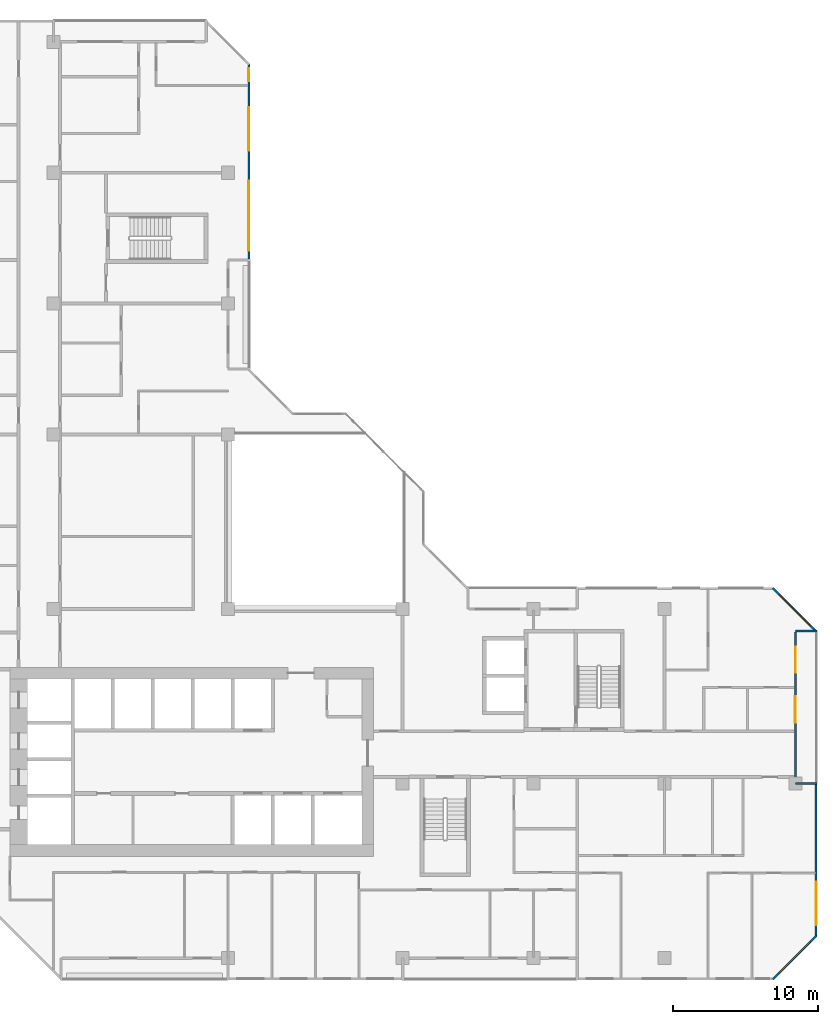
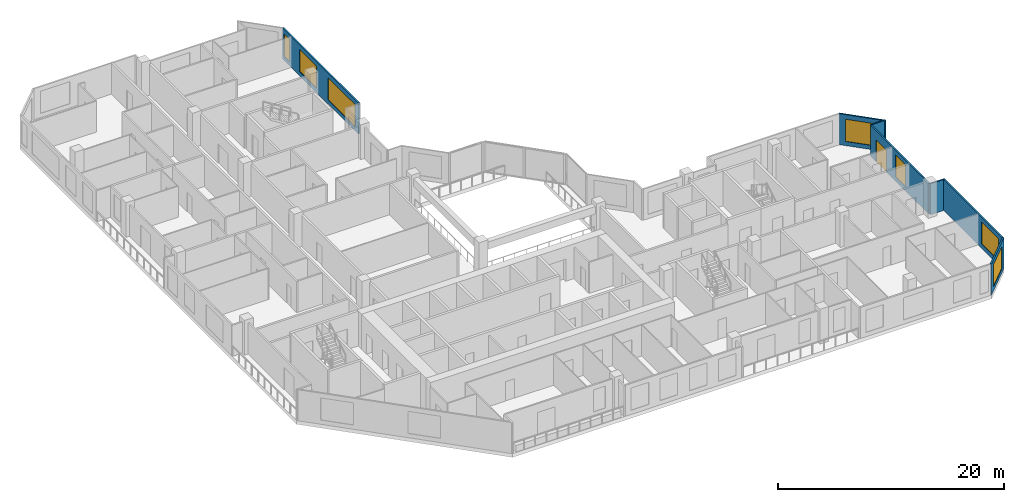
# One storey, part 11 of 14: 7 walls, 7 windows, 1 door, 8 openings.
"""IFC4 building model written with IfcOpenShell, lengths in metres."""

from ifc_helpers import new_model, si_unit, direction, frame, frame_2d, origin, place, context, subcontext, project, spatial, rectangle, extrude, material, layer, layer_set, type_object, element, fill, save


model = new_model("IFC4")

# Units and contexts
model_context = context("Model", 3, precision=1e-05, world=origin(), true_north=direction((0.0, 1.0)))
body_context = subcontext(model_context, "Body", "Model", "MODEL_VIEW")
ifc_project = project(units=[si_unit("LENGTHUNIT", "METRE"), si_unit("AREAUNIT", "SQUARE_METRE"), si_unit("VOLUMEUNIT", "CUBIC_METRE"), si_unit("PLANEANGLEUNIT", "RADIAN"), si_unit("MASSUNIT", "GRAM", prefix="KILO")], contexts=[model_context])

# Site, building, storey
site_placement = place(None, origin())
site = spatial("IfcSite", under=ifc_project, at=site_placement, CompositionType="ELEMENT")
building_placement = place(site_placement, origin())
building = spatial("IfcBuilding", under=site, at=building_placement, Name="Chenar Terraces", CompositionType="ELEMENT")
storey_placement = place(building_placement, frame((0.0, 0.0, 183.64990234375)))
storey = spatial("IfcBuildingStorey", under=building, at=storey_placement, Name="L42", CompositionType="ELEMENT", Elevation=183.64990234375)

# Wall, openings, windows
ifc_material_1 = material(Name="Aluminium framed glazing", Category="aluminium")
ifc_layer_1 = layer(ifc_material_1, 0.14990234375)
ifc_layer_set_1 = layer_set([ifc_layer_1], Name="Aluminium framed glazing")
wall_type_1 = type_object("IfcWallType", Name="Glazed flush facade wall 150", PredefinedType="SOLIDWALL", material=ifc_layer_set_1)
wall_1_placement = place(storey_placement, frame((25.425048828125, 48.074951171875, 0.0), z_axis=(0.0, 0.0, 1.0), x_axis=(0.0, 1.0, 0.0)))
wall_1 = element("IfcWall", 1, at=wall_1_placement, inside=storey, type_object=wall_type_1, Name="Glazed flush facade wall", PredefinedType="SOLIDWALL", context=body_context, shape_type="SweptSolid", body=[
    extrude(rectangle(XDim=13.425048828125, YDim=0.14990234375, at=frame_2d((6.71240234375, 0.0))), origin(), (0.0, 0.0, 1.0), 3.35009765625),
])
opening_1_placement = place(wall_1_placement, frame((0.5625, 0.0, 0.449951171875)))
opening_1 = element("IfcOpeningElement", 2, at=opening_1_placement, cuts=wall_1, Name="Opening W480x240", PredefinedType="OPENING", context=body_context, shape_type="SweptSolid", body=[
    extrude(rectangle(XDim=4.800048828125, YDim=2.39990234375, at=frame_2d((2.39990234375, 1.199951171875))), frame((0.0, 0.0849609375, 0.0), z_axis=(0.0, -1.0, 0.0), x_axis=(1.0, 0.0, 0.0)), (0.0, 0.0, 1.0), 0.169921875),
])
opening_2_placement = place(wall_1_placement, frame((7.425048828125, 0.0, 0.449951171875)))
opening_2 = element("IfcOpeningElement", 3, at=opening_2_placement, cuts=wall_1, Name="Opening W300x240", PredefinedType="OPENING", context=body_context, shape_type="SweptSolid", body=[
    extrude(rectangle(XDim=3.0, YDim=2.39990234375, at=frame_2d((1.5, 1.199951171875))), frame((0.0, 0.0849609375, 0.0), z_axis=(0.0, -1.0, 0.0), x_axis=(1.0, 0.0, 0.0)), (0.0, 0.0, 1.0), 0.169921875),
])
opening_3_placement = place(wall_1_placement, frame((12.22509765625, 0.0, 0.449951171875)))
opening_3 = element("IfcOpeningElement", 4, at=opening_3_placement, cuts=wall_1, Name="Opening W90x240", PredefinedType="OPENING", context=body_context, shape_type="SweptSolid", body=[
    extrude(rectangle(XDim=0.89990234375, YDim=2.39990234375, at=frame_2d((0.449951171875, 1.199951171875))), frame((0.0, 0.0849609375, 0.0), z_axis=(0.0, -1.0, 0.0), x_axis=(1.0, 0.0, 0.0)), (0.0, 0.0, 1.0), 0.169921875),
])
ifc_material_2 = material(Name="Low emissivity double glazing, aluminium frame", Category="aluminium")
window_type_1 = type_object("IfcWindowType", Name="Fixed light 3000 x 2400", PartitioningType="SINGLE_PANEL", PredefinedType="WINDOW", material=ifc_material_2)
window_1_placement = place(opening_2_placement, origin())
window_1 = element("IfcWindow", 5, at=window_1_placement, inside=storey, type_object=window_type_1, Name="Window", OverallHeight=2.39990234375, OverallWidth=3.0, PartitioningType="SINGLE_PANEL", PredefinedType="WINDOW", context=body_context, shape_type="SweptSolid", body=[
    extrude(rectangle(XDim=3.0, YDim=2.39990234375, at=frame_2d((1.5, 1.199951171875))), frame((0.0, 0.030029296875, 0.0), z_axis=(0.0, -1.0, 0.0), x_axis=(1.0, 0.0, 0.0)), (0.0, 0.0, 1.0), 0.06005859375),
])
fill(opening_2, window_1)
ifc_material_3 = material(Name="Low emissivity double glazing, aluminium frame", Category="aluminium")
window_type_2 = type_object("IfcWindowType", Name="Fixed light 4800 x 2400", PartitioningType="SINGLE_PANEL", PredefinedType="WINDOW", material=ifc_material_3)
window_2_placement = place(opening_1_placement, origin())
window_2 = element("IfcWindow", 6, at=window_2_placement, inside=storey, type_object=window_type_2, Name="Window", OverallHeight=2.39990234375, OverallWidth=4.800048828125, PartitioningType="SINGLE_PANEL", PredefinedType="WINDOW", context=body_context, shape_type="SweptSolid", body=[
    extrude(rectangle(XDim=4.800048828125, YDim=2.39990234375, at=frame_2d((2.39990234375, 1.199951171875))), frame((0.0, 0.030029296875, 0.0), z_axis=(0.0, -1.0, 0.0), x_axis=(1.0, 0.0, 0.0)), (0.0, 0.0, 1.0), 0.06005859375),
])
fill(opening_1, window_2)
ifc_material_4 = material(Name="Low emissivity double glazing, aluminium frame", Category="aluminium")
window_type_3 = type_object("IfcWindowType", Name="Fixed light 900 x 2400", PartitioningType="SINGLE_PANEL", PredefinedType="WINDOW", material=ifc_material_4)
window_3_placement = place(opening_3_placement, origin())
window_3 = element("IfcWindow", 7, at=window_3_placement, inside=storey, type_object=window_type_3, Name="Window", OverallHeight=2.39990234375, OverallWidth=0.89990234375, PartitioningType="SINGLE_PANEL", PredefinedType="WINDOW", context=body_context, shape_type="SweptSolid", body=[
    extrude(rectangle(XDim=0.89990234375, YDim=2.39990234375, at=frame_2d((0.449951171875, 1.199951171875))), frame((0.0, 0.030029296875, 0.0), z_axis=(0.0, -1.0, 0.0), x_axis=(1.0, 0.0, 0.0)), (0.0, 0.0, 1.0), 0.06005859375),
])
fill(opening_3, window_3)

# Wall, opening, window
wall_2_placement = place(storey_placement, frame((64.425048828125, 1.5, 0.0), z_axis=(0.0, 0.0, 1.0), x_axis=(0.0, 1.0, 0.0)))
wall_2 = element("IfcWall", 8, at=wall_2_placement, inside=storey, type_object=wall_type_1, Name="Glazed flush facade wall", PredefinedType="SOLIDWALL", context=body_context, shape_type="SweptSolid", body=[
    extrude(rectangle(XDim=10.425048828125, YDim=0.14990234375, at=frame_2d((5.21240234375, 0.0))), origin(), (0.0, 0.0, 1.0), 3.35009765625),
])
opening_4_placement = place(wall_2_placement, frame((0.75, 0.0, 0.449951171875)))
opening_4 = element("IfcOpeningElement", 9, at=opening_4_placement, cuts=wall_2, Name="Opening W300x240", PredefinedType="OPENING", context=body_context, shape_type="SweptSolid", body=[
    extrude(rectangle(XDim=3.0, YDim=2.39990234375, at=frame_2d((1.5, 1.199951171875))), frame((0.0, 0.0849609375, 0.0), z_axis=(0.0, -1.0, 0.0), x_axis=(1.0, 0.0, 0.0)), (0.0, 0.0, 1.0), 0.169921875),
])
window_4_placement = place(opening_4_placement, origin())
window_4 = element("IfcWindow", 10, at=window_4_placement, inside=storey, type_object=window_type_1, Name="Window", OverallHeight=2.39990234375, OverallWidth=3.0, PartitioningType="SINGLE_PANEL", PredefinedType="WINDOW", context=body_context, shape_type="SweptSolid", body=[
    extrude(rectangle(XDim=3.0, YDim=2.39990234375, at=frame_2d((1.5, 1.199951171875))), frame((0.0, 0.030029296875, 0.0), z_axis=(0.0, -1.0, 0.0), x_axis=(1.0, 0.0, 0.0)), (0.0, 0.0, 1.0), 0.06005859375),
])
fill(opening_4, window_4)

# Wall, openings, window, door
ifc_material_5 = material(Name="Aluminium framed glazing", Category="aluminium")
ifc_layer_2 = layer(ifc_material_5, 0.14990234375)
ifc_layer_set_2 = layer_set([ifc_layer_2], Name="Aluminium framed glazing")
wall_type_2 = type_object("IfcWallType", Name="Glazed loggia back wall 150", PredefinedType="SOLIDWALL", material=ifc_layer_set_2)
wall_3_placement = place(storey_placement, frame((63.0, 12.074951171875, 0.0), z_axis=(0.0, 0.0, 1.0), x_axis=(0.0, 1.0, 0.0)))
wall_3 = element("IfcWall", 11, at=wall_3_placement, inside=storey, type_object=wall_type_2, Name="Glazed loggia back wall", PredefinedType="SOLIDWALL", context=body_context, shape_type="SweptSolid", body=[
    extrude(rectangle(XDim=10.35009765625, YDim=0.14990234375, at=frame_2d((5.175048828125, 0.0))), origin(), (0.0, 0.0, 1.0), 3.35009765625),
])
opening_5_placement = place(wall_3_placement, frame((4.125, 0.0, 0.449951171875)))
opening_5 = element("IfcOpeningElement", 12, at=opening_5_placement, cuts=wall_3, Name="Opening W180x240", PredefinedType="OPENING", context=body_context, shape_type="SweptSolid", body=[
    extrude(rectangle(XDim=1.800048828125, YDim=2.39990234375, at=frame_2d((0.89990234375, 1.199951171875))), frame((0.0, 0.0849609375, 0.0), z_axis=(0.0, -1.0, 0.0), x_axis=(1.0, 0.0, 0.0)), (0.0, 0.0, 1.0), 0.169921875),
])
opening_6_placement = place(wall_3_placement, frame((7.53759765625, 0.0, 0.0)))
opening_6 = element("IfcOpeningElement", 13, at=opening_6_placement, cuts=wall_3, Name="Opening DL42-G7", PredefinedType="OPENING", context=body_context, shape_type="SweptSolid", body=[
    extrude(rectangle(XDim=1.800048828125, YDim=2.39990234375, at=frame_2d((0.89990234375, 1.199951171875))), frame((0.0, 0.0849609375, 0.0), z_axis=(0.0, -1.0, 0.0), x_axis=(1.0, 0.0, 0.0)), (0.0, 0.0, 1.0), 0.169921875),
])
ifc_material_6 = material(Name="Low emissivity double glazing, aluminium frame", Category="aluminium")
window_type_4 = type_object("IfcWindowType", Name="Fixed light 1800 x 2400", PartitioningType="SINGLE_PANEL", PredefinedType="WINDOW", material=ifc_material_6)
window_5_placement = place(opening_5_placement, origin())
window_5 = element("IfcWindow", 14, at=window_5_placement, inside=storey, type_object=window_type_4, Name="Window", OverallHeight=2.39990234375, OverallWidth=1.800048828125, PartitioningType="SINGLE_PANEL", PredefinedType="WINDOW", context=body_context, shape_type="SweptSolid", body=[
    extrude(rectangle(XDim=1.800048828125, YDim=2.39990234375, at=frame_2d((0.89990234375, 1.199951171875))), frame((0.0, 0.030029296875, 0.0), z_axis=(0.0, -1.0, 0.0), x_axis=(1.0, 0.0, 0.0)), (0.0, 0.0, 1.0), 0.06005859375),
])
fill(opening_5, window_5)
ifc_material_7 = material(Name="Low emissivity double glazing, aluminium frame", Category="aluminium")
door_type = type_object("IfcDoorType", Name="Loggia glazed double door 1800 x 2400", OperationType="DOUBLE_DOOR_SINGLE_SWING", PredefinedType="DOOR", material=ifc_material_7)
door_placement = place(opening_6_placement, frame((1.800048828125, 0.0, 0.0), z_axis=(0.0, 0.0, 1.0), x_axis=(-1.0, 0.0, 0.0)))
door = element("IfcDoor", 15, at=door_placement, inside=storey, type_object=door_type, Name="Loggia glazed door", OperationType="DOUBLE_DOOR_SINGLE_SWING", OverallHeight=2.39990234375, OverallWidth=1.800048828125, PredefinedType="DOOR", context=body_context, shape_type="SweptSolid", body=[
    extrude(rectangle(XDim=1.800048828125, YDim=2.39990234375, at=frame_2d((0.89990234375, 1.199951171875))), frame((0.0, 0.02490234375, 0.0), z_axis=(0.0, -1.0, 0.0), x_axis=(1.0, 0.0, 0.0)), (0.0, 0.0, 1.0), 0.050048828125),
])
fill(opening_6, door)

# Walls
ifc_material_8 = material(Name="Terracotta cladding on insulated backing", Category="masonry")
ifc_layer_3 = layer(ifc_material_8, 0.14990234375)
ifc_layer_set_3 = layer_set([ifc_layer_3], Name="Terracotta cladding on insulated backing")
wall_type_3 = type_object("IfcWallType", Name="Loggia return wall 150", PredefinedType="SOLIDWALL", material=ifc_layer_set_3)
for number, where, z_axis, x_axis, name in (
    (16, (64.5, 12.0, 0.0), (0.0, 0.0, 1.0), (-1.0, 0.0, 0.0), "Loggia return wall"),
    (17, (64.5, 22.5, 0.0), (0.0, 0.0, 1.0), (-1.0, 0.0, 0.0), "Loggia return wall"),
):
    element("IfcWall", number, at=place(storey_placement, frame(where, z_axis=z_axis, x_axis=x_axis)), inside=storey, type_object=wall_type_3, Name=name, PredefinedType="SOLIDWALL", context=body_context, shape_type="SweptSolid", body=[
        extrude(rectangle(XDim=1.5, YDim=0.14990234375, at=frame_2d((0.75, 0.0))), origin(), (0.0, 0.0, 1.0), 3.35009765625),
    ])

# Wall, opening, window
ifc_material_9 = material(Name="Terracotta cladding on insulated backing", Category="masonry")
ifc_layer_4 = layer(ifc_material_9, 0.14990234375)
ifc_layer_set_4 = layer_set([ifc_layer_4], Name="Terracotta cladding on insulated backing")
wall_type_4 = type_object("IfcWallType", Name="Terracotta rainscreen wall 150", PredefinedType="SOLIDWALL", material=ifc_layer_set_4)
wall_4_placement = place(storey_placement, frame((61.447021484375, -1.447021484375, 0.0), z_axis=(0.0, 0.0, 1.0), x_axis=(0.707106781187, 0.707106781187, 0.0)))
wall_4 = element("IfcWall", 18, at=wall_4_placement, inside=storey, type_object=wall_type_4, Name="Terracotta rainscreen wall", PredefinedType="SOLIDWALL", context=body_context, shape_type="SweptSolid", body=[
    extrude(rectangle(XDim=4.24267578125, YDim=0.14990234375, at=frame_2d((2.121337890625, 0.0))), origin(), (0.0, 0.0, 1.0), 3.35009765625),
])
opening_7_placement = place(wall_4_placement, frame((0.621337890625, 0.0, 0.449951171875)))
opening_7 = element("IfcOpeningElement", 19, at=opening_7_placement, cuts=wall_4, Name="Opening W300x240", PredefinedType="OPENING", context=body_context, shape_type="SweptSolid", body=[
    extrude(rectangle(XDim=3.0, YDim=2.39990234375, at=frame_2d((1.5, 1.199951171875))), frame((0.0, 0.0849609375, 0.0), z_axis=(0.0, -1.0, 0.0), x_axis=(1.0, 0.0, 0.0)), (0.0, 0.0, 1.0), 0.169921875),
])
window_6_placement = place(opening_7_placement, origin())
window_6 = element("IfcWindow", 20, at=window_6_placement, inside=storey, type_object=window_type_1, Name="Window", OverallHeight=2.39990234375, OverallWidth=3.0, PartitioningType="SINGLE_PANEL", PredefinedType="WINDOW", context=body_context, shape_type="SweptSolid", body=[
    extrude(rectangle(XDim=3.0, YDim=2.39990234375, at=frame_2d((1.5, 1.199951171875))), frame((0.0, 0.030029296875, 0.0), z_axis=(0.0, -1.0, 0.0), x_axis=(1.0, 0.0, 0.0)), (0.0, 0.0, 1.0), 0.06005859375),
])
fill(opening_7, window_6)

wall_5_placement = place(storey_placement, frame((64.447021484375, 22.447021484375, 0.0), z_axis=(0.0, 0.0, 1.0), x_axis=(-0.707106781187, 0.707106781187, 0.0)))
wall_5 = element("IfcWall", 21, at=wall_5_placement, inside=storey, type_object=wall_type_4, Name="Terracotta rainscreen wall", PredefinedType="SOLIDWALL", context=body_context, shape_type="SweptSolid", body=[
    extrude(rectangle(XDim=4.24267578125, YDim=0.14990234375, at=frame_2d((2.121337890625, 0.0))), origin(), (0.0, 0.0, 1.0), 3.35009765625),
])
opening_8_placement = place(wall_5_placement, frame((0.621337890625, 0.0, 0.449951171875)))
opening_8 = element("IfcOpeningElement", 22, at=opening_8_placement, cuts=wall_5, Name="Opening W300x240", PredefinedType="OPENING", context=body_context, shape_type="SweptSolid", body=[
    extrude(rectangle(XDim=3.0, YDim=2.39990234375, at=frame_2d((1.5, 1.199951171875))), frame((0.0, 0.0849609375, 0.0), z_axis=(0.0, -1.0, 0.0), x_axis=(1.0, 0.0, 0.0)), (0.0, 0.0, 1.0), 0.169921875),
])
window_7_placement = place(opening_8_placement, origin())
window_7 = element("IfcWindow", 23, at=window_7_placement, inside=storey, type_object=window_type_1, Name="Window", OverallHeight=2.39990234375, OverallWidth=3.0, PartitioningType="SINGLE_PANEL", PredefinedType="WINDOW", context=body_context, shape_type="SweptSolid", body=[
    extrude(rectangle(XDim=3.0, YDim=2.39990234375, at=frame_2d((1.5, 1.199951171875))), frame((0.0, 0.030029296875, 0.0), z_axis=(0.0, -1.0, 0.0), x_axis=(1.0, 0.0, 0.0)), (0.0, 0.0, 1.0), 0.06005859375),
])
fill(opening_8, window_7)

save(model, "model.ifc")
